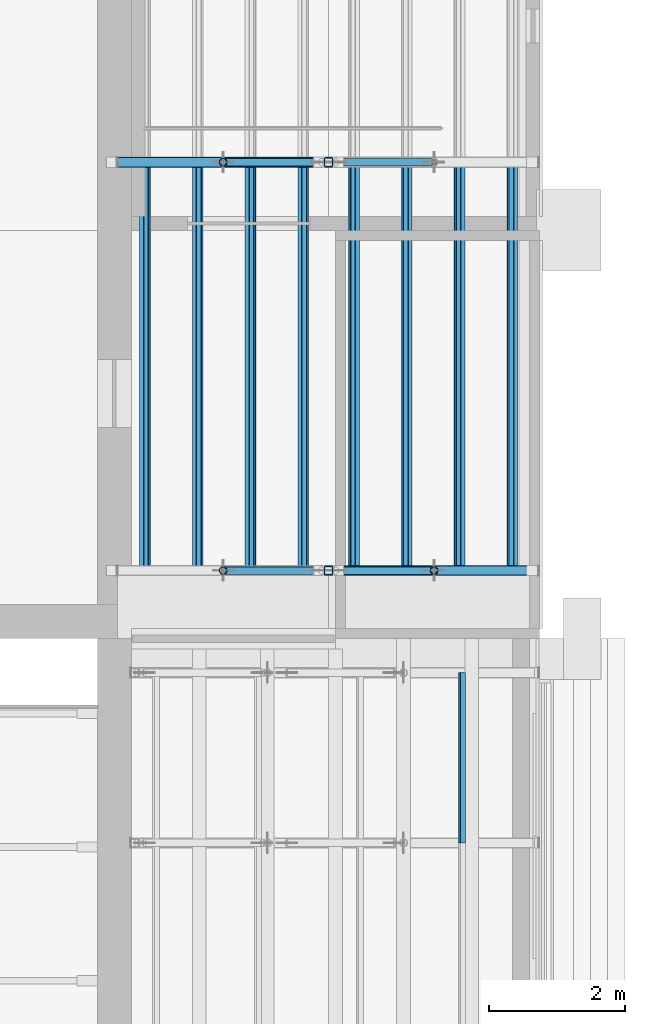
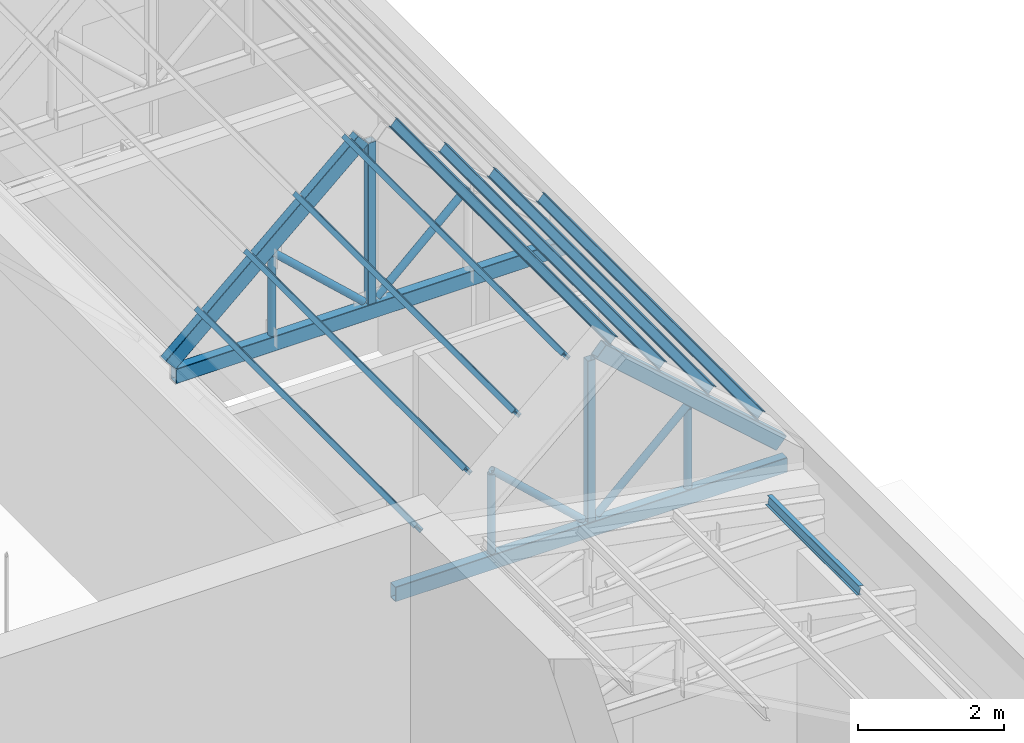
# One storey, part 33 of 118: 22 members.
"""IFC4 building model written with IfcOpenShell, lengths in metres."""

from ifc_helpers import new_model, si_unit, direction, frame, origin, origin_2d, place, context, subcontext, project, spatial, hollow_rectangle, hollow_circle, i_section, extrude, material, material_profile, profile_set, type_object, element, save


model = new_model("IFC4")

# Units and contexts
model_context = context("Model", 3, precision=1e-05, world=origin(), true_north=direction((0.0, 1.0)))
body_context = subcontext(model_context, "Body", "Model", "MODEL_VIEW")
ifc_project = project(units=[si_unit("LENGTHUNIT", "METRE"), si_unit("AREAUNIT", "SQUARE_METRE"), si_unit("VOLUMEUNIT", "CUBIC_METRE"), si_unit("PLANEANGLEUNIT", "RADIAN"), si_unit("MASSUNIT", "GRAM", prefix="KILO")], contexts=[model_context])

# Site, building, storey
site_placement = place(None, origin())
site = spatial("IfcSite", under=ifc_project, at=site_placement, CompositionType="ELEMENT")
building_placement = place(site_placement, origin())
building = spatial("IfcBuilding", under=site, at=building_placement, Name="Saffron Lane Theatres", CompositionType="ELEMENT")
storey_placement = place(building_placement, frame((0.0, 0.0, 16.5)))
storey = spatial("IfcBuildingStorey", under=building, at=storey_placement, Name="L03", CompositionType="ELEMENT", Elevation=16.5)

# Members
ifc_material_1 = material(Name="Steel Grade 350", Category="steel")
ifc_material_profile_1 = material_profile(ifc_material_1, hollow_rectangle(XDim=0.125, YDim=0.125, WallThickness=0.006103515625, InnerFilletRadius=0.0029296875, OuterFilletRadius=0.009033203125, at=origin_2d()))
ifc_profile_set_1 = profile_set([ifc_material_profile_1], Name="Steel Grade 350")
member_type_1 = type_object("IfcMemberType", Name="ST-STUDIO POST 125x125x6 SHS", PredefinedType="POST", material=ifc_profile_set_1)
for number, where, z_axis, x_axis, name in (
    (1, (50.89990234375, 55.0, 4.75), (0.0, 0.0, 1.0), (1.0, 0.0, 0.0), "SB2-P4"),
    (2, (50.89990234375, 61.0, 4.75), (0.0, 0.0, 1.0), (1.0, 0.0, 0.0), "SB2-P12"),
):
    element("IfcMember", number, at=place(storey_placement, frame(where, z_axis=z_axis, x_axis=x_axis)), inside=storey, type_object=member_type_1, Name=name, PredefinedType="POST", context=body_context, shape_type="SweptSolid", body=[
        extrude(hollow_rectangle(XDim=0.125, YDim=0.125, WallThickness=0.006103515625, InnerFilletRadius=0.0029296875, OuterFilletRadius=0.009033203125, at=origin_2d()), origin(), (0.0, 0.0, 1.0), 2.69287109375),
    ])
ifc_material_2 = material(Name="Steel Grade 350", Category="steel")
ifc_material_profile_2 = material_profile(ifc_material_2, i_section(OverallWidth=0.074951171875, OverallDepth=0.155029296875, WebThickness=0.006103515625, FlangeThickness=0.009521484375, FilletRadius=0.008056640625, at=origin_2d()))
ifc_profile_set_2 = profile_set([ifc_material_profile_2], Name="Steel Grade 350")
member_type_2 = type_object("IfcMemberType", Name="ST-STUDIO PURLIN 150UB18.0", PredefinedType="PURLIN", material=ifc_profile_set_2)
for number, where, z_axis, x_axis, name in (
    (3, (53.59716796875, 55.0, 5.544677734375), (0.0, 1.0, 0.0), (-0.748268687469, 0.0, 0.663395787863), "SB2-U57"),
    (4, (52.822265625, 55.0, 6.23193359375), (0.0, 1.0, 0.0), (-0.748268687469, 0.0, 0.663395787863), "SB2-U63"),
    (5, (52.04736328125, 55.0, 6.9189453125), (0.0, 1.0, 0.0), (-0.748268687469, 0.0, 0.663395787863), "SB2-U69"),
    (6, (51.272216796875, 55.0, 7.60595703125), (0.0, 1.0, 0.0), (-0.748268687469, 0.0, 0.663395787863), "SB2-U75"),
    (7, (48.20263671875, 55.0, 5.544677734375), (0.0, 1.0, 0.0), (-0.748268687469, 0.0, -0.663395787863), "SB2-U81"),
    (8, (48.977783203125, 55.0, 6.23193359375), (0.0, 1.0, 0.0), (-0.748268687469, 0.0, -0.663395787863), "SB2-U87"),
    (9, (49.752685546875, 55.0, 6.9189453125), (0.0, 1.0, 0.0), (-0.748268687469, 0.0, -0.663395787863), "SB2-U93"),
    (10, (50.52783203125, 55.0, 7.60595703125), (0.0, 1.0, 0.0), (-0.748268687469, 0.0, -0.663395787863), "SB2-U99"),
):
    element("IfcMember", number, at=place(storey_placement, frame(where, z_axis=z_axis, x_axis=x_axis)), inside=storey, type_object=member_type_2, Name=name, PredefinedType="PURLIN", context=body_context, shape_type="SweptSolid", body=[
        extrude(i_section(OverallWidth=0.074951171875, OverallDepth=0.155029296875, WebThickness=0.006103515625, FlangeThickness=0.009521484375, FilletRadius=0.008056640625, at=origin_2d()), origin(), (0.0, 0.0, 1.0), 6.0),
    ])
member_1_placement = place(storey_placement, frame((52.862548828125, 51.0, 5.304443359375), z_axis=(0.0, 1.0, 0.0), x_axis=(-0.981660567439, 0.0, 0.190637169344)))
element("IfcMember", 11, at=member_1_placement, inside=storey, type_object=member_type_2, Name="SB4-U47", PredefinedType="PURLIN", context=body_context, shape_type="SweptSolid", body=[
    extrude(i_section(OverallWidth=0.074951171875, OverallDepth=0.155029296875, WebThickness=0.006103515625, FlangeThickness=0.009521484375, FilletRadius=0.008056640625, at=origin_2d()), origin(), (0.0, 0.0, 1.0), 2.5),
])
ifc_material_3 = material(Name="Steel Grade 350", Category="steel")
ifc_material_profile_3 = material_profile(ifc_material_3, hollow_rectangle(XDim=0.14990234375, YDim=0.25, WallThickness=0.009033203125, InnerFilletRadius=0.00439453125, OuterFilletRadius=0.013427734375, at=origin_2d()))
ifc_profile_set_3 = profile_set([ifc_material_profile_3], Name="Steel Grade 350")
member_type_3 = type_object("IfcMemberType", Name="ST-STUDIO TRUSS CHORD 250x150x9 RHS", PredefinedType="CHORD", material=ifc_profile_set_3)
member_2_placement = place(storey_placement, frame((53.97998046875, 55.0, 4.625), z_axis=(-1.0, 0.0, 0.0), x_axis=(0.0, -1.0, 0.0)))
element("IfcMember", 12, at=member_2_placement, inside=storey, type_object=member_type_3, Name="SB2-T1", PredefinedType="CHORD", context=body_context, shape_type="SweptSolid", body=[
    extrude(hollow_rectangle(XDim=0.14990234375, YDim=0.25, WallThickness=0.009033203125, InnerFilletRadius=0.00439453125, OuterFilletRadius=0.013427734375, at=origin_2d()), origin(), (0.0, 0.0, 1.0), 6.179931640625),
])
member_3_placement = place(storey_placement, frame((53.886962890625, 55.0, 5.01708984375), z_axis=(-0.748231613734, 0.0, 0.663437602348), x_axis=(0.0, -1.0, 0.0)))
element("IfcMember", 13, at=member_3_placement, inside=storey, type_object=member_type_3, Name="SB2-C2", PredefinedType="CHORD", context=body_context, shape_type="SweptSolid", body=[
    extrude(hollow_rectangle(XDim=0.14990234375, YDim=0.25, WallThickness=0.009033203125, InnerFilletRadius=0.00439453125, OuterFilletRadius=0.013427734375, at=origin_2d()), origin(), (0.0, 0.0, 1.0), 3.797607421875),
])
member_4_placement = place(storey_placement, frame((53.97998046875, 61.0, 4.625), z_axis=(-1.0, 0.0, 0.0), x_axis=(0.0, -1.0, 0.0)))
element("IfcMember", 14, at=member_4_placement, inside=storey, type_object=member_type_3, Name="SB2-T9", PredefinedType="CHORD", context=body_context, shape_type="SweptSolid", body=[
    extrude(hollow_rectangle(XDim=0.14990234375, YDim=0.25, WallThickness=0.009033203125, InnerFilletRadius=0.00439453125, OuterFilletRadius=0.013427734375, at=origin_2d()), origin(), (0.0, 0.0, 1.0), 6.179931640625),
])
member_5_placement = place(storey_placement, frame((47.717041015625, 61.0, 4.843505859375), z_axis=(0.748261446236, 0.0, 0.663403955428), x_axis=(0.0, 1.0, 0.0)))
element("IfcMember", 15, at=member_5_placement, inside=storey, type_object=member_type_3, Name="SB2-C11", PredefinedType="CHORD", context=body_context, shape_type="SweptSolid", body=[
    extrude(hollow_rectangle(XDim=0.14990234375, YDim=0.25, WallThickness=0.009033203125, InnerFilletRadius=0.00439453125, OuterFilletRadius=0.013427734375, at=origin_2d()), origin(), (0.0, 0.0, 1.0), 4.0595703125),
])
ifc_material_4 = material(Name="Steel Grade 350", Category="steel")
ifc_material_profile_4 = material_profile(ifc_material_4, hollow_circle(Radius=0.05712890625, WallThickness=0.006103515625, at=origin_2d()))
ifc_profile_set_4 = profile_set([ifc_material_profile_4], Name="Steel Grade 350")
member_type_4 = type_object("IfcMemberType", Name="ST-STUDIO TRUSS WEB 114.3x6.0 CHS", PredefinedType="BRACE", material=ifc_profile_set_4)
for number, where, z_axis, x_axis, name in (
    (16, (52.449951171875, 55.0, 4.75), (0.0, 0.0, 1.0), (1.0, 0.0, 0.0), "SB2-W5"),
    (17, (49.35009765625, 55.0, 4.75), (0.0, 0.0, 1.0), (1.0, 0.0, 0.0), "SB2-W6"),
):
    element("IfcMember", number, at=place(storey_placement, frame(where, z_axis=z_axis, x_axis=x_axis)), inside=storey, type_object=member_type_4, Name=name, PredefinedType="BRACE", context=body_context, shape_type="SweptSolid", body=[
        extrude(hollow_circle(Radius=0.05712890625, WallThickness=0.006103515625, at=origin_2d()), origin(), (0.0, 0.0, 1.0), 1.323486328125),
    ])
for number, where, z_axis, x_axis, name in (
    (18, (51.008056640625, 55.0, 4.7919921875), (0.734492556675, 0.0, 0.678616743228), (0.0, 1.0, 0.0), "SB2-W7"),
    (19, (50.7919921875, 55.0, 4.7919921875), (-0.734492556675, 0.0, 0.678616743228), (0.0, -1.0, 0.0), "SB2-W8"),
):
    element("IfcMember", number, at=place(storey_placement, frame(where, z_axis=z_axis, x_axis=x_axis)), inside=storey, type_object=member_type_4, Name=name, PredefinedType="BRACE", context=body_context, shape_type="SweptSolid", body=[
        extrude(hollow_circle(Radius=0.05712890625, WallThickness=0.006103515625, at=origin_2d()), origin(), (0.0, 0.0, 1.0), 1.95751953125),
    ])
member_6_placement = place(storey_placement, frame((49.35009765625, 61.0, 4.75), z_axis=(0.0, 0.0, 1.0), x_axis=(1.0, 0.0, 0.0)))
element("IfcMember", 20, at=member_6_placement, inside=storey, type_object=member_type_4, Name="SB2-W14", PredefinedType="BRACE", context=body_context, shape_type="SweptSolid", body=[
    extrude(hollow_circle(Radius=0.05712890625, WallThickness=0.006103515625, at=origin_2d()), origin(), (0.0, 0.0, 1.0), 1.323486328125),
])
for number, where, z_axis, x_axis, name in (
    (21, (51.008056640625, 61.0, 4.7919921875), (0.734492556675, 0.0, 0.678616743228), (0.0, 1.0, 0.0), "SB2-W15"),
    (22, (50.7919921875, 61.0, 4.7919921875), (-0.734492556675, 0.0, 0.678616743228), (0.0, -1.0, 0.0), "SB2-W16"),
):
    element("IfcMember", number, at=place(storey_placement, frame(where, z_axis=z_axis, x_axis=x_axis)), inside=storey, type_object=member_type_4, Name=name, PredefinedType="BRACE", context=body_context, shape_type="SweptSolid", body=[
        extrude(hollow_circle(Radius=0.05712890625, WallThickness=0.006103515625, at=origin_2d()), origin(), (0.0, 0.0, 1.0), 1.95751953125),
    ])

save(model, "model.ifc")
